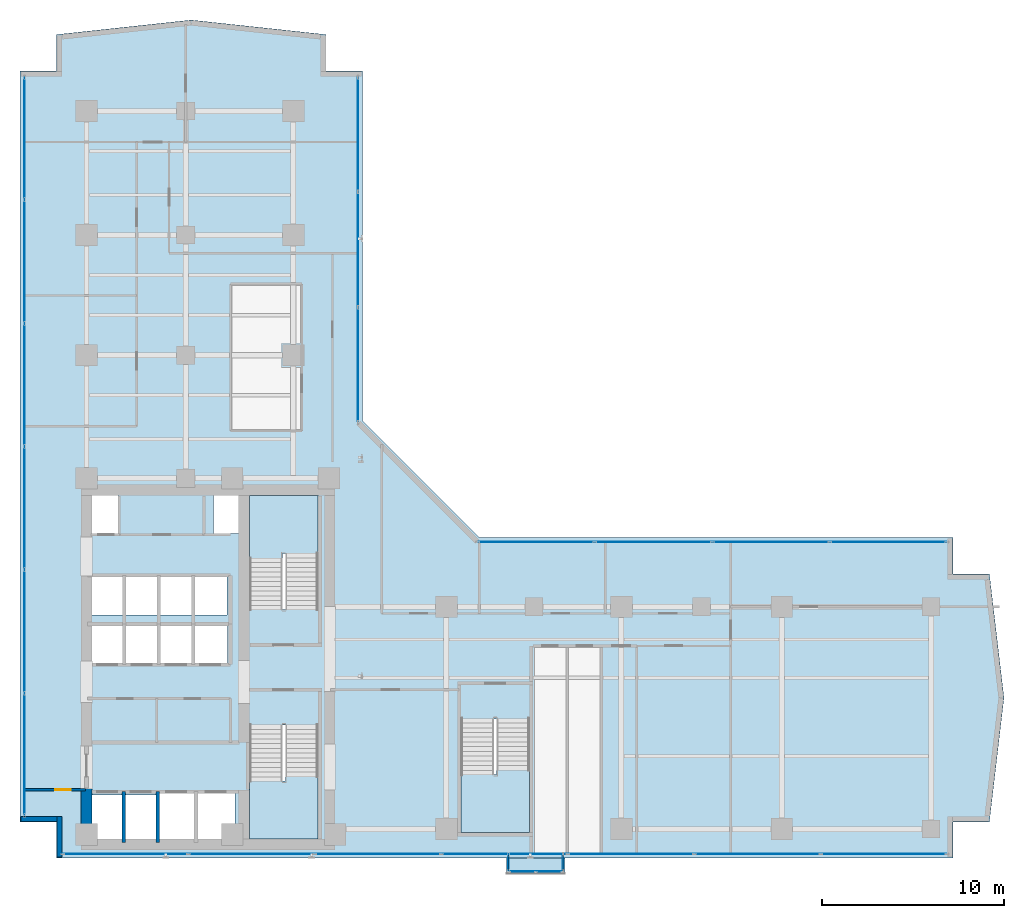
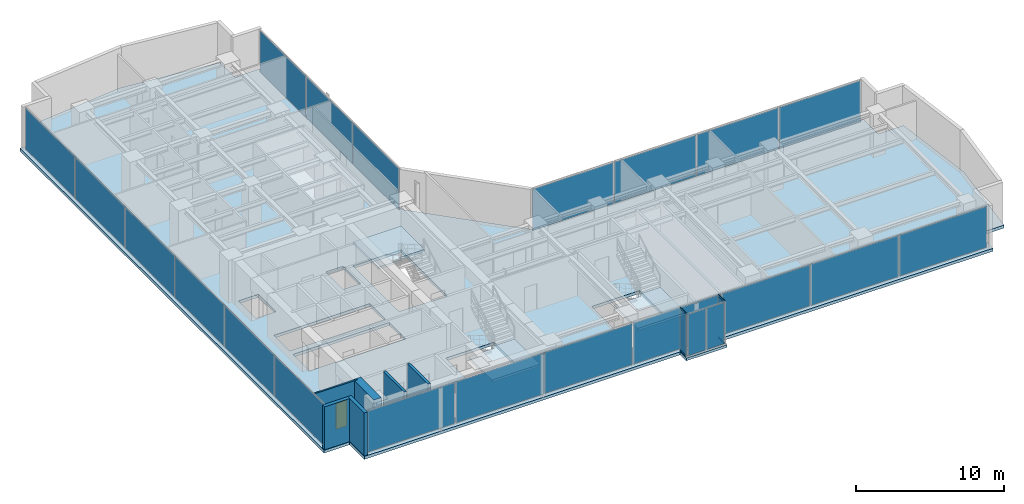
# One storey, part 18 of 23: 24 plates, 6 walls, 5 slabs, 4 members, 1 door, 1 opening, 10 elements without a shape of their own.
"""IFC4 building model written with IfcOpenShell, lengths in metres."""

import ifcopenshell
import ifcopenshell.guid

model = None  # the IFC model being written
_history = None  # IfcOwnerHistory: only IFC2X3 demands one
_inside = {}  # id of a spatial element -> (the spatial element, [elements in it])
_under = {}  # id of a project, library or spatial element -> (it, [spatial elements below it])
_declared = {}  # id of a project -> (the project, [libraries it declares])
_typed = {}  # id of a type object -> (the type object, [elements of that type])
_made_of = {}  # id of a material, layer set ... -> (it, [elements and type objects made of it])


def new_model(schema):
    """Start an empty IFC model of exactly this schema.

    Asked for "IFC4X3", IfcOpenShell would pick the latest addendum, in which some entities
    have other attributes; the version numbers below select the first issue.
    IFC2X3 requires an IfcOwnerHistory on every rooted entity: one is made here for all.
    """
    global model, _history
    if schema == "IFC4X3":
        model = ifcopenshell.file(schema_version=(4, 3, 0, 0))
    else:
        model = ifcopenshell.file(schema=schema)
    _inside.clear()
    _under.clear()
    _declared.clear()
    _typed.clear()
    _made_of.clear()
    _history = None
    if model.schema == "IFC2X3":
        org = make("IfcOrganization", Name="unknown")
        user = make(
            "IfcPersonAndOrganization",
            ThePerson=make("IfcPerson", FamilyName="unknown"),
            TheOrganization=org,
        )
        app = make(
            "IfcApplication",
            ApplicationDeveloper=org,
            Version="unknown",
            ApplicationFullName="unknown",
            ApplicationIdentifier="unknown",
        )
        _history = make(
            "IfcOwnerHistory",
            OwningUser=user,
            OwningApplication=app,
            ChangeAction="ADDED",
            CreationDate=0,
        )
    return model


def make(cls, **values):
    """One entity of the class cls with the attributes given. An attribute that is None is left unset."""
    return model.create_entity(
        cls, **{name: value for name, value in values.items() if value is not None}
    )


def rooted(cls, **values):
    """An entity with a GlobalId (a new one), such as an element, a storey or a relation."""
    return make(cls, GlobalId=ifcopenshell.guid.new(), OwnerHistory=_history, **values)


def si_unit(unit_type, name, prefix=None):
    """IfcSIUnit, for example si_unit("LENGTHUNIT", "METRE", prefix="MILLI")."""
    return make("IfcSIUnit", UnitType=unit_type, Prefix=prefix, Name=name)


def assignment(units):
    """IfcUnitAssignment: the units of a project."""
    return None if units is None else make("IfcUnitAssignment", Units=units)


def point(xyz):
    """IfcCartesianPoint."""
    return None if xyz is None else make("IfcCartesianPoint", Coordinates=xyz)


def direction(xyz):
    """IfcDirection."""
    return None if xyz is None else make("IfcDirection", DirectionRatios=xyz)


def frame(location, z_axis=None, x_axis=None):
    """IfcAxis2Placement3D, a coordinate frame: its origin and axes. An axis left out is left unset."""
    return make(
        "IfcAxis2Placement3D",
        Location=point(location),
        Axis=direction(z_axis),
        RefDirection=direction(x_axis),
    )


def frame_2d(location, x_axis=None):
    """IfcAxis2Placement2D, a coordinate frame in the plane: its origin and x axis."""
    return make(
        "IfcAxis2Placement2D", Location=point(location), RefDirection=direction(x_axis)
    )


def origin():
    """The frame at (0, 0, 0) with its axes left unset."""
    return frame((0.0, 0.0, 0.0))


def origin_with_axes():
    """The frame at (0, 0, 0) with the z axis (0, 0, 1) and the x axis (1, 0, 0) written out."""
    return frame((0.0, 0.0, 0.0), z_axis=(0.0, 0.0, 1.0), x_axis=(1.0, 0.0, 0.0))


def origin_2d():
    """The frame at (0, 0) in the plane with its x axis left unset."""
    return frame_2d((0.0, 0.0))


def place(relative_to, where):
    """IfcLocalPlacement: puts the frame where relative to a parent placement (None: the world)."""
    return make(
        "IfcLocalPlacement", PlacementRelTo=relative_to, RelativePlacement=where
    )


def context(
    kind, dimensions, precision=None, world=None, true_north=None, identifier=None
):
    """IfcGeometricRepresentationContext, for example the 3D "Model" context."""
    return make(
        "IfcGeometricRepresentationContext",
        ContextIdentifier=identifier,
        ContextType=kind,
        CoordinateSpaceDimension=dimensions,
        Precision=precision,
        WorldCoordinateSystem=world,
        TrueNorth=true_north,
    )


def subcontext(parent, identifier, kind, view, scale=None):
    """IfcGeometricRepresentationSubContext, for example "Body" below "Model"."""
    return make(
        "IfcGeometricRepresentationSubContext",
        ContextIdentifier=identifier,
        ContextType=kind,
        ParentContext=parent,
        TargetScale=scale,
        TargetView=view,
    )


def project(units=None, contexts=None):
    """IfcProject with its units and contexts."""
    return rooted(
        "IfcProject",
        Name="project",
        RepresentationContexts=contexts,
        UnitsInContext=assignment(units),
    )


def spatial(cls, under=None, at=None, **own):
    """A site, building, storey or space (cls), placed at a placement, below another one or the project."""
    s = rooted(cls, ObjectPlacement=at, **own)
    if under is not None:
        _under.setdefault(under.id(), (under, []))[1].append(s)
    return s


def polyline(points):
    """IfcPolyline through the points."""
    return make("IfcPolyline", Points=[point(p) for p in points])


def profile(cls, at=None, kind="AREA", **sizes):
    """A parametric profile (cls). Its sizes go by their IFC names, for example OverallWidth=200.0."""
    return make(cls, ProfileType=kind, Position=at, **sizes)


def rectangle(**sizes):
    """IfcRectangleProfileDef."""
    return profile("IfcRectangleProfileDef", **sizes)


def hollow_rectangle(**sizes):
    """IfcRectangleHollowProfileDef."""
    return profile("IfcRectangleHollowProfileDef", **sizes)


def outline(outer, holes=None, kind="AREA"):
    """IfcArbitraryClosedProfileDef: a profile drawn as a closed curve; with holes, ...WithVoids."""
    if holes is None:
        return make("IfcArbitraryClosedProfileDef", ProfileType=kind, OuterCurve=outer)
    return make(
        "IfcArbitraryProfileDefWithVoids",
        ProfileType=kind,
        OuterCurve=outer,
        InnerCurves=holes,
    )


def extrude(swept, where, along, depth):
    """IfcExtrudedAreaSolid: the profile swept, set in the frame where, extruded along a direction by depth."""
    return make(
        "IfcExtrudedAreaSolid",
        SweptArea=swept,
        Position=where,
        ExtrudedDirection=direction(along),
        Depth=depth,
    )


def shape(context_of_items, identifier, shape_type, items):
    """IfcShapeRepresentation: the items that make up one representation, for example the "Body"."""
    return make(
        "IfcShapeRepresentation",
        ContextOfItems=context_of_items,
        RepresentationIdentifier=identifier,
        RepresentationType=shape_type,
        Items=items,
    )


def source(mapping_origin, context_of_items, identifier, shape_type, items):
    """IfcRepresentationMap: a shape defined once, which mapped items show again and again."""
    return make(
        "IfcRepresentationMap",
        MappingOrigin=mapping_origin,
        MappedRepresentation=shape(context_of_items, identifier, shape_type, items),
    )


def transform(
    local_origin,
    x_axis=None,
    y_axis=None,
    z_axis=None,
    scale=None,
    scale2=None,
    scale3=None,
    uniform=True,
):
    """IfcCartesianTransformationOperator3D, or its non-uniform kind. x_axis, y_axis, z_axis: its Axis1, 2, 3."""
    if uniform:
        return make(
            "IfcCartesianTransformationOperator3D",
            Axis1=direction(x_axis),
            Axis2=direction(y_axis),
            LocalOrigin=point(local_origin),
            Scale=scale,
            Axis3=direction(z_axis),
        )
    return make(
        "IfcCartesianTransformationOperator3DnonUniform",
        Axis1=direction(x_axis),
        Axis2=direction(y_axis),
        LocalOrigin=point(local_origin),
        Scale=scale,
        Axis3=direction(z_axis),
        Scale2=scale2,
        Scale3=scale3,
    )


def mapped(mapping_source, mapping_target):
    """IfcMappedItem: shows the shape of a source again, moved by a transform."""
    return make(
        "IfcMappedItem", MappingSource=mapping_source, MappingTarget=mapping_target
    )


def material(Name=None, Category=None):
    """IfcMaterial."""
    return make("IfcMaterial", Name=Name, Category=Category)


def layer(
    of_material, thickness, ventilated=None, Name=None, Category=None, Priority=None
):
    """IfcMaterialLayer: one layer of a wall or slab, of a material (None: an air gap)."""
    return make(
        "IfcMaterialLayer",
        Material=of_material,
        LayerThickness=thickness,
        IsVentilated=ventilated,
        Name=Name,
        Category=Category,
        Priority=Priority,
    )


def layer_set(layers, Name=None):
    """IfcMaterialLayerSet."""
    return make("IfcMaterialLayerSet", MaterialLayers=layers, LayerSetName=Name)


def material_profile(
    of_material, cross_section, Name=None, Category=None, Priority=None
):
    """IfcMaterialProfile: a cross section and its material."""
    return make(
        "IfcMaterialProfile",
        Name=Name,
        Material=of_material,
        Profile=cross_section,
        Priority=Priority,
        Category=Category,
    )


def profile_set(profiles, Name=None, composite=None):
    """IfcMaterialProfileSet."""
    return make(
        "IfcMaterialProfileSet",
        Name=Name,
        MaterialProfiles=profiles,
        CompositeProfile=composite,
    )


def made_of(thing, what):
    """Note that an element or type object is made of a material, layer set ...; save() writes the relation."""
    if what is not None:
        _made_of.setdefault(what.id(), (what, []))[1].append(thing)
    return thing


def type_object(cls, material=None, **own):
    """A type object (cls), such as IfcWallType, which elements share."""
    return made_of(rooted(cls, **own), material)


def element(
    cls,
    number,
    at=None,
    inside=None,
    cuts=None,
    type_object=None,
    material=None,
    context=None,
    identifier="Body",
    shape_type=None,
    held_by="IfcProductDefinitionShape",
    body=None,
    shapes=None,
    **own,
):
    """One element of the class cls, such as IfcWall. Its Tag is "e" and its number.

    at: its placement. inside: the storey or other place that contains it. cuts: it is an
    opening in that element (IfcRelVoidsElement). A single representation is given by context,
    identifier, shape_type and body (its items); several are given by shapes. held_by: the class
    of the entity that holds the representations. save() writes the other relations.
    """
    e = rooted(cls, Tag="e%d" % number, ObjectPlacement=at, **own)
    if body is not None:
        shapes = [shape(context, identifier, shape_type, body)]
    if shapes is not None:
        e.Representation = make(held_by, Representations=shapes)
    if inside is not None:
        _inside.setdefault(inside.id(), (inside, []))[1].append(e)
    if cuts is not None:
        rooted(
            "IfcRelVoidsElement", RelatingBuildingElement=cuts, RelatedOpeningElement=e
        )
    if type_object is not None:
        _typed.setdefault(type_object.id(), (type_object, []))[1].append(e)
    return made_of(e, material)


def fill(opening, filler):
    """IfcRelFillsElement: the door or window that sits in an opening."""
    return rooted(
        "IfcRelFillsElement",
        RelatingOpeningElement=opening,
        RelatedBuildingElement=filler,
    )


def aggregate(whole, parts):
    """IfcRelAggregates: a whole, such as a stair, and the parts it consists of."""
    return rooted("IfcRelAggregates", RelatingObject=whole, RelatedObjects=parts)


def save(model, path):
    """Write the relations noted so far, then the file.

    IfcRelAggregates (storeys below a building ...), IfcRelContainedInSpatialStructure (elements
    in a storey), IfcRelDefinesByType, IfcRelAssociatesMaterial and IfcRelDeclares: one each for
    every whole, place, type object, material and project.
    """
    for whole, parts in _under.values():
        aggregate(whole, parts)
    for where, things in _inside.values():
        rooted(
            "IfcRelContainedInSpatialStructure",
            RelatedElements=things,
            RelatingStructure=where,
        )
    for kind, things in _typed.values():
        rooted("IfcRelDefinesByType", RelatedObjects=things, RelatingType=kind)
    for what, things in _made_of.values():
        rooted("IfcRelAssociatesMaterial", RelatedObjects=things, RelatingMaterial=what)
    for by, libraries in _declared.values():
        rooted("IfcRelDeclares", RelatingContext=by, RelatedDefinitions=libraries)
    model.write(path)


model = new_model("IFC4")

# Units and contexts
model_context = context("Model", 3, precision=1e-05, world=origin(), true_north=direction((0.0, 1.0)))
body_context = subcontext(model_context, "Body", "Model", "MODEL_VIEW")
ifc_project = project(units=[si_unit("LENGTHUNIT", "METRE"), si_unit("AREAUNIT", "SQUARE_METRE"), si_unit("VOLUMEUNIT", "CUBIC_METRE"), si_unit("PLANEANGLEUNIT", "RADIAN"), si_unit("MASSUNIT", "GRAM", prefix="KILO")], contexts=[model_context])

# Site, building, storey
site_placement = place(None, origin())
site = spatial("IfcSite", under=ifc_project, at=site_placement, CompositionType="ELEMENT")
building_placement = place(site_placement, origin())
building = spatial("IfcBuilding", under=site, at=building_placement, Name="Kolvaren Waterfront Exchange", CompositionType="ELEMENT")
storey_placement = place(building_placement, frame((0.0, 0.0, 188.0)))
storey = spatial("IfcBuildingStorey", under=building, at=storey_placement, Name="L48", CompositionType="ELEMENT", Elevation=188.0)

# Curtain wall, members
ifc_material_1 = material(Name="Anodised bronze aluminium 6063-T6", Category="aluminium")
ifc_layer_1 = layer(ifc_material_1, 0.219970703125, Name="Anodised bronze aluminium 6063-T6")
ifc_layer_set_1 = layer_set([ifc_layer_1], Name="Anodised bronze aluminium 6063-T6")
curtain_wall_type_1 = type_object("IfcCurtainWallType", Name="ARC-CW-SYS3", PredefinedType="USERDEFINED", material=ifc_layer_set_1)
curtain_wall_1_placement = place(storey_placement, origin())
curtain_wall_1 = element("IfcCurtainWall", 1, at=curtain_wall_1_placement, inside=storey, type_object=curtain_wall_type_1, Name="L48 stick curtain wall CW3 (CW-L48-BOX-W)", ObjectType="STICK CURTAIN WALL", PredefinedType="USERDEFINED")
ifc_material_profile = material_profile(ifc_material_1, hollow_rectangle(XDim=0.06494140625, YDim=0.1298828125, WallThickness=0.00390625, at=origin_2d()), Name="ALU-TRN-130x65x4")
ifc_profile_set = profile_set([ifc_material_profile], Name="Anodised bronze aluminium 6063-T6")
member_type = type_object("IfcMemberType", Name="ARC-CWT-130", PredefinedType="USERDEFINED", material=ifc_profile_set)
shared_shape_1 = source(origin_with_axes(), body_context, "Body", "SweptSolid", [
    extrude(hollow_rectangle(XDim=0.06494140625, YDim=0.1298828125, WallThickness=0.00390625, at=origin_2d()), origin(), (0.0, 0.0, 1.0), 0.829833984375),
])
member_1_placement = place(storey_placement, frame((30.610107421875, 3.764892578125, 0.032470703125), z_axis=(0.0, -1.0, 0.0), x_axis=(1.0, 0.0, 0.0)))
member_1 = element("IfcMember", 2, at=member_1_placement, type_object=member_type, Name="CW3 transom 1.1", ObjectType="TRANSOM", PredefinedType="USERDEFINED", context=body_context, shape_type="MappedRepresentation", body=[
    mapped(shared_shape_1, transform((0.0, 0.0, 0.0), x_axis=(1.0, 0.0, 0.0), y_axis=(0.0, 1.0, 0.0), z_axis=(0.0, 0.0, 1.0), scale=1.0)),
])
member_2_placement = place(storey_placement, frame((30.610107421875, 3.764892578125, 3.527587890625), z_axis=(0.0, -1.0, 0.0), x_axis=(1.0, 0.0, 0.0)))
member_2 = element("IfcMember", 3, at=member_2_placement, type_object=member_type, Name="CW3 transom 1.2", ObjectType="TRANSOM", PredefinedType="USERDEFINED", context=body_context, shape_type="MappedRepresentation", body=[
    mapped(shared_shape_1, transform((0.0, 0.0, 0.0), x_axis=(1.0, 0.0, 0.0), y_axis=(0.0, 1.0, 0.0), z_axis=(0.0, 0.0, 1.0), scale=1.0)),
])

curtain_wall_2_placement = place(storey_placement, origin())
curtain_wall_2 = element("IfcCurtainWall", 4, at=curtain_wall_2_placement, inside=storey, type_object=curtain_wall_type_1, Name="L48 stick curtain wall CW3 (CW-L48-BOX-E)", ObjectType="STICK CURTAIN WALL", PredefinedType="USERDEFINED")
member_3_placement = place(storey_placement, frame((33.590087890625, 2.93505859375, 0.032470703125), z_axis=(0.0, 1.0, 0.0), x_axis=(-1.0, 0.0, 0.0)))
member_3 = element("IfcMember", 5, at=member_3_placement, type_object=member_type, Name="CW3 transom 1.1", ObjectType="TRANSOM", PredefinedType="USERDEFINED", context=body_context, shape_type="MappedRepresentation", body=[
    mapped(shared_shape_1, transform((0.0, 0.0, 0.0), x_axis=(1.0, 0.0, 0.0), y_axis=(0.0, 1.0, 0.0), z_axis=(0.0, 0.0, 1.0), scale=1.0)),
])
member_4_placement = place(storey_placement, frame((33.590087890625, 2.93505859375, 3.527587890625), z_axis=(0.0, 1.0, 0.0), x_axis=(-1.0, 0.0, 0.0)))
member_4 = element("IfcMember", 6, at=member_4_placement, type_object=member_type, Name="CW3 transom 1.2", ObjectType="TRANSOM", PredefinedType="USERDEFINED", context=body_context, shape_type="MappedRepresentation", body=[
    mapped(shared_shape_1, transform((0.0, 0.0, 0.0), x_axis=(1.0, 0.0, 0.0), y_axis=(0.0, 1.0, 0.0), z_axis=(0.0, 0.0, 1.0), scale=1.0)),
])

# Stair, slab
ifc_material_2 = material(Name="Concrete C40/50", Category="concrete")
stair_type = type_object("IfcStairType", Name="ARC-STAIR-3800", PredefinedType="HALF_TURN_STAIR", material=ifc_material_2)
stair_1_placement = place(storey_placement, origin())
stair_1 = element("IfcStair", 7, at=stair_1_placement, inside=storey, type_object=stair_type, Name="L48 Smoke-proof exit stair ST1", PredefinedType="HALF_TURN_STAIR")
ifc_layer_2 = layer(ifc_material_2, 0.199951171875, Name="Concrete C40/50")
ifc_layer_set_2 = layer_set([ifc_layer_2], Name="Concrete C40/50")
slab_type_1 = type_object("IfcSlabType", Name="STR-LANDING-200", PredefinedType="LANDING", material=ifc_layer_set_2)
slab_1_placement = place(storey_placement, frame((0.0, 0.0, 1.77587890625)))
slab_1 = element("IfcSlab", 8, at=slab_1_placement, type_object=slab_type_1, Name="ST1 landing 1", PredefinedType="LANDING", context=body_context, shape_type="SweptSolid", body=[
    extrude(outline(polyline([(16.39990234375, 7.840087890625), (16.39990234375, 4.64990234375), (20.159912109375, 4.64990234375), (20.159912109375, 8.10009765625), (18.360107421875, 8.10009765625), (18.360107421875, 7.840087890625), (16.39990234375, 7.840087890625)])), origin(), (0.0, 0.0, 1.0), 0.2001953125),
])
aggregate(stair_1, [slab_1])

stair_2_placement = place(storey_placement, origin())
stair_2 = element("IfcStair", 9, at=stair_2_placement, inside=storey, type_object=stair_type, Name="L48 Smoke-proof exit stair ST2", PredefinedType="HALF_TURN_STAIR")
slab_2_placement = place(storey_placement, frame((0.0, 0.0, 1.77587890625)))
slab_2 = element("IfcSlab", 10, at=slab_2_placement, type_object=slab_type_1, Name="ST2 landing 1", PredefinedType="LANDING", context=body_context, shape_type="SweptSolid", body=[
    extrude(outline(polyline([(20.159912109375, 20.31005859375), (20.159912109375, 23.5), (16.39990234375, 23.5), (16.39990234375, 20.050048828125), (18.199951171875, 20.050048828125), (18.199951171875, 20.31005859375), (20.159912109375, 20.31005859375)])), origin(), (0.0, 0.0, 1.0), 0.2001953125),
])
aggregate(stair_2, [slab_2])

stair_3_placement = place(storey_placement, origin())
stair_3 = element("IfcStair", 11, at=stair_3_placement, inside=storey, type_object=stair_type, Name="L48 Exit stair ST3", PredefinedType="HALF_TURN_STAIR")
slab_3_placement = place(storey_placement, frame((0.0, 0.0, 1.77587890625)))
slab_3 = element("IfcSlab", 12, at=slab_3_placement, type_object=slab_type_1, Name="ST3 landing 1", PredefinedType="LANDING", context=body_context, shape_type="SweptSolid", body=[
    extrude(outline(polyline([(28.0, 8.18994140625), (28.0, 5.0), (31.760009765625, 5.0), (31.760009765625, 8.449951171875), (29.9599609375, 8.449951171875), (29.9599609375, 8.18994140625), (28.0, 8.18994140625)])), origin(), (0.0, 0.0, 1.0), 0.2001953125),
])
aggregate(stair_3, [slab_3])

# Slabs
ifc_layer_3 = layer(ifc_material_2, 0.239990234375, Name="Concrete C40/50")
ifc_layer_set_3 = layer_set([ifc_layer_3], Name="Concrete C40/50")
slab_type_2 = type_object("IfcSlabType", Name="STR-SLAB-240", PredefinedType="FLOOR", material=ifc_layer_set_3)
slab_4_placement = place(storey_placement, frame((0.0, 0.0, -0.239990234375)))
element("IfcSlab", 13, at=slab_4_placement, inside=storey, type_object=slab_type_2, Name="L48 structural floor slab", PredefinedType="FLOOR", context=body_context, shape_type="SweptSolid", body=[
    extrude(outline(polyline([(5.800048828125, 3.60009765625), (55.0, 3.60009765625), (55.0, 5.60009765625), (57.0, 5.60009765625), (57.800048828125, 12.39990234375), (57.0, 19.199951171875), (55.0, 19.199951171875), (55.0, 21.199951171875), (29.0, 21.199951171875), (22.60009765625, 27.60009765625), (22.60009765625, 46.800048828125), (20.60009765625, 46.800048828125), (20.60009765625, 48.800048828125), (13.199951171875, 49.60009765625), (5.800048828125, 48.800048828125), (5.800048828125, 46.800048828125), (3.800048828125, 46.800048828125), (3.800048828125, 5.60009765625), (5.800048828125, 5.60009765625), (5.800048828125, 3.60009765625)]), holes=[polyline([(11.320068359375, 7.260009765625), (15.610107421875, 7.260009765625), (15.610107421875, 4.5400390625), (7.719970703125, 4.5400390625), (7.719970703125, 7.06005859375), (11.320068359375, 7.06005859375), (11.320068359375, 7.260009765625)]), polyline([(20.159912109375, 10.89990234375), (20.159912109375, 4.64990234375), (16.39990234375, 4.64990234375), (16.39990234375, 10.89990234375), (20.159912109375, 10.89990234375)]), polyline([(31.760009765625, 11.25), (31.760009765625, 5.0), (28.0, 5.0), (28.0, 11.25), (31.760009765625, 11.25)]), polyline([(15.18505859375, 14.239990234375), (7.64501953125, 14.239990234375), (7.64501953125, 16.4599609375), (15.18505859375, 16.4599609375), (15.18505859375, 14.239990234375)]), polyline([(15.159912109375, 16.93994140625), (7.669921875, 16.93994140625), (7.669921875, 19.06005859375), (15.159912109375, 19.06005859375), (15.159912109375, 16.93994140625)]), polyline([(16.39990234375, 23.5), (20.159912109375, 23.5), (20.159912109375, 17.25), (16.39990234375, 17.25), (16.39990234375, 23.5)]), polyline([(7.60009765625, 23.780029296875), (9.179931640625, 23.780029296875), (9.179931640625, 21.419921875), (7.60009765625, 21.419921875), (7.60009765625, 23.780029296875)]), polyline([(15.800048828125, 23.780029296875), (15.800048828125, 21.419921875), (14.419921875, 21.419921875), (14.419921875, 23.780029296875), (15.800048828125, 23.780029296875)])]), origin(), (0.0, 0.0, 1.0), 0.239990234375),
])
ifc_layer_4 = layer(ifc_material_2, 0.219970703125, Name="Concrete C40/50")
ifc_layer_set_4 = layer_set([ifc_layer_4], Name="Concrete C40/50")
slab_type_3 = type_object("IfcSlabType", Name="STR-TERR-220", PredefinedType="FLOOR", material=ifc_layer_set_4)
slab_5_placement = place(storey_placement, frame((0.0, 0.0, -0.219970703125)))
element("IfcSlab", 14, at=slab_5_placement, inside=storey, type_object=slab_type_3, Name="L48 projecting bay-box floor strip", PredefinedType="FLOOR", context=body_context, shape_type="SweptSolid", body=[
    extrude(outline(polyline([(30.5, 2.75), (33.699951171875, 2.75), (33.699951171875, 3.60009765625), (30.5, 3.60009765625), (30.5, 2.75)])), origin(), (0.0, 0.0, 1.0), 0.219970703125),
])

# Plate
ifc_material_3 = material(Name="Bronze tinted bay-box vision glass", Category="aluminium")
ifc_layer_5 = layer(ifc_material_3, 0.02392578125, Name="Bronze tinted bay-box vision glass")
ifc_layer_set_5 = layer_set([ifc_layer_5], Name="Bronze tinted bay-box vision glass")
plate_type_1 = type_object("IfcPlateType", Name="ARC-CWP-24", PredefinedType="CURTAIN_PANEL", material=ifc_layer_set_5)
shared_shape_2 = source(origin_with_axes(), body_context, "Body", "SweptSolid", [
    extrude(rectangle(XDim=0.830078125, YDim=0.02392578125, at=origin_2d()), origin(), (0.0, 0.0, 1.0), 3.429931640625),
])
plate_1_placement = place(storey_placement, frame((30.610107421875, 3.35009765625, 0.06494140625), z_axis=(0.0, 0.0, 1.0), x_axis=(0.0, -1.0, 0.0)))
plate_1 = element("IfcPlate", 15, at=plate_1_placement, type_object=plate_type_1, Name="CW3 panel 1.1", PredefinedType="CURTAIN_PANEL", context=body_context, shape_type="MappedRepresentation", body=[
    mapped(shared_shape_2, transform((0.0, 0.0, 0.0), x_axis=(1.0, 0.0, 0.0), y_axis=(0.0, 1.0, 0.0), z_axis=(0.0, 0.0, 1.0), scale=1.0)),
])

aggregate(curtain_wall_1, [member_1, member_2, plate_1])

plate_2_placement = place(storey_placement, frame((33.590087890625, 3.35009765625, 0.06494140625), z_axis=(0.0, 0.0, 1.0), x_axis=(0.0, 1.0, 0.0)))
plate_2 = element("IfcPlate", 16, at=plate_2_placement, type_object=plate_type_1, Name="CW3 panel 1.1", PredefinedType="CURTAIN_PANEL", context=body_context, shape_type="MappedRepresentation", body=[
    mapped(shared_shape_2, transform((0.0, 0.0, 0.0), x_axis=(1.0, 0.0, 0.0), y_axis=(0.0, 1.0, 0.0), z_axis=(0.0, 0.0, 1.0), scale=1.0)),
])

aggregate(curtain_wall_2, [member_3, member_4, plate_2])

# Curtain wall, plates
curtain_wall_3_placement = place(storey_placement, origin())
curtain_wall_3 = element("IfcCurtainWall", 17, at=curtain_wall_3_placement, inside=storey, type_object=curtain_wall_type_1, Name="L48 stick curtain wall CW3 (CW-L48-BOX)", ObjectType="STICK CURTAIN WALL", PredefinedType="USERDEFINED")
shared_shape_3 = source(origin_with_axes(), body_context, "Body", "SweptSolid", [
    extrude(rectangle(XDim=1.37744140625, YDim=0.02392578125, at=origin_2d()), origin(), (0.0, 0.0, 1.0), 3.429931640625),
])
plate_3_placement = place(storey_placement, frame((31.373779296875, 2.860107421875, 0.06494140625), z_axis=(0.0, 0.0, 1.0), x_axis=(1.0, 0.0, 0.0)))
plate_3 = element("IfcPlate", 18, at=plate_3_placement, type_object=plate_type_1, Name="CW3 panel 1.1", PredefinedType="CURTAIN_PANEL", context=body_context, shape_type="MappedRepresentation", body=[
    mapped(shared_shape_3, transform((0.0, 0.0, 0.0), x_axis=(1.0, 0.0, 0.0), y_axis=(0.0, 1.0, 0.0), z_axis=(0.0, 0.0, 1.0), scale=1.0)),
])
plate_4_placement = place(storey_placement, frame((32.826171875, 2.860107421875, 0.06494140625), z_axis=(0.0, 0.0, 1.0), x_axis=(1.0, 0.0, 0.0)))
plate_4 = element("IfcPlate", 19, at=plate_4_placement, type_object=plate_type_1, Name="CW3 panel 2.1", PredefinedType="CURTAIN_PANEL", context=body_context, shape_type="MappedRepresentation", body=[
    mapped(shared_shape_3, transform((0.0, 0.0, 0.0), x_axis=(1.0, 0.0, 0.0), y_axis=(0.0, 1.0, 0.0), z_axis=(0.0, 0.0, 1.0), scale=1.0)),
])
aggregate(curtain_wall_3, [plate_3, plate_4])

ifc_layer_6 = layer(ifc_material_1, 0.219970703125, Name="Anodised bronze aluminium 6063-T6")
ifc_layer_set_6 = layer_set([ifc_layer_6], Name="Anodised bronze aluminium 6063-T6")
curtain_wall_type_2 = type_object("IfcCurtainWallType", Name="ARC-CW-SYS1", PredefinedType="USERDEFINED", material=ifc_layer_set_6)
curtain_wall_4_placement = place(storey_placement, origin())
curtain_wall_4 = element("IfcCurtainWall", 20, at=curtain_wall_4_placement, inside=storey, type_object=curtain_wall_type_2, Name="L48 stick curtain wall CW1 (CW-L48-S)", ObjectType="STICK CURTAIN WALL", PredefinedType="USERDEFINED")
ifc_material_4 = material(Name="Bronze solar control vision glass", Category="aluminium")
ifc_layer_7 = layer(ifc_material_4, 0.028076171875, Name="Bronze solar control vision glass")
ifc_layer_set_7 = layer_set([ifc_layer_7], Name="Bronze solar control vision glass")
plate_type_2 = type_object("IfcPlateType", Name="ARC-CWP-28", PredefinedType="CURTAIN_PANEL", material=ifc_layer_set_7)
shared_shape_4 = source(origin_with_axes(), body_context, "Body", "SweptSolid", [
    extrude(rectangle(XDim=6.82275390625, YDim=0.028076171875, at=origin_2d()), origin(), (0.0, 0.0, 1.0), 3.409912109375),
])
plate_5_placement = place(storey_placement, frame((9.59130859375, 3.840087890625, 0.0751953125), z_axis=(0.0, 0.0, 1.0), x_axis=(1.0, 0.0, 0.0)))
plate_5 = element("IfcPlate", 21, at=plate_5_placement, type_object=plate_type_2, Name="CW1 panel 1.1", PredefinedType="CURTAIN_PANEL", context=body_context, shape_type="MappedRepresentation", body=[
    mapped(shared_shape_4, transform((0.0, 0.0, 0.0), x_axis=(1.0, 0.0, 0.0), y_axis=(0.0, 1.0, 0.0), z_axis=(0.0, 0.0, 1.0), scale=1.0)),
])
plate_6_placement = place(storey_placement, frame((51.20849609375, 3.840087890625, 0.0751953125), z_axis=(0.0, 0.0, 1.0), x_axis=(1.0, 0.0, 0.0)))
plate_6 = element("IfcPlate", 22, at=plate_6_placement, type_object=plate_type_2, Name="CW1 panel 7.1", PredefinedType="CURTAIN_PANEL", context=body_context, shape_type="MappedRepresentation", body=[
    mapped(shared_shape_4, transform((0.0, 0.0, 0.0), x_axis=(1.0, 0.0, 0.0), y_axis=(0.0, 1.0, 0.0), z_axis=(0.0, 0.0, 1.0), scale=1.0)),
])
shared_shape_5 = source(origin_with_axes(), body_context, "Body", "SweptSolid", [
    extrude(rectangle(XDim=6.86279296875, YDim=0.028076171875, at=origin_2d()), origin(), (0.0, 0.0, 1.0), 3.409912109375),
])
plate_7_placement = place(storey_placement, frame((16.514404296875, 3.840087890625, 0.0751953125), z_axis=(0.0, 0.0, 1.0), x_axis=(1.0, 0.0, 0.0)))
plate_7 = element("IfcPlate", 23, at=plate_7_placement, type_object=plate_type_2, Name="CW1 panel 2.1", PredefinedType="CURTAIN_PANEL", context=body_context, shape_type="MappedRepresentation", body=[
    mapped(shared_shape_5, transform((0.0, 0.0, 0.0), x_axis=(1.0, 0.0, 0.0), y_axis=(0.0, 1.0, 0.0), z_axis=(0.0, 0.0, 1.0), scale=1.0)),
])
plate_8_placement = place(storey_placement, frame((23.45703125, 3.840087890625, 0.0751953125), z_axis=(0.0, 0.0, 1.0), x_axis=(1.0, 0.0, 0.0)))
plate_8 = element("IfcPlate", 24, at=plate_8_placement, type_object=plate_type_2, Name="CW1 panel 3.1", PredefinedType="CURTAIN_PANEL", context=body_context, shape_type="MappedRepresentation", body=[
    mapped(shared_shape_5, transform((0.0, 0.0, 0.0), x_axis=(1.0, 0.0, 0.0), y_axis=(0.0, 1.0, 0.0), z_axis=(0.0, 0.0, 1.0), scale=1.0)),
])
plate_9_placement = place(storey_placement, frame((30.39990234375, 3.840087890625, 0.0751953125), z_axis=(0.0, 0.0, 1.0), x_axis=(1.0, 0.0, 0.0)))
plate_9 = element("IfcPlate", 25, at=plate_9_placement, type_object=plate_type_2, Name="CW1 panel 4.1", PredefinedType="CURTAIN_PANEL", context=body_context, shape_type="MappedRepresentation", body=[
    mapped(shared_shape_5, transform((0.0, 0.0, 0.0), x_axis=(1.0, 0.0, 0.0), y_axis=(0.0, 1.0, 0.0), z_axis=(0.0, 0.0, 1.0), scale=1.0)),
])
plate_10_placement = place(storey_placement, frame((37.3427734375, 3.840087890625, 0.0751953125), z_axis=(0.0, 0.0, 1.0), x_axis=(1.0, 0.0, 0.0)))
plate_10 = element("IfcPlate", 26, at=plate_10_placement, type_object=plate_type_2, Name="CW1 panel 5.1", PredefinedType="CURTAIN_PANEL", context=body_context, shape_type="MappedRepresentation", body=[
    mapped(shared_shape_5, transform((0.0, 0.0, 0.0), x_axis=(1.0, 0.0, 0.0), y_axis=(0.0, 1.0, 0.0), z_axis=(0.0, 0.0, 1.0), scale=1.0)),
])
plate_11_placement = place(storey_placement, frame((44.28564453125, 3.840087890625, 0.0751953125), z_axis=(0.0, 0.0, 1.0), x_axis=(1.0, 0.0, 0.0)))
plate_11 = element("IfcPlate", 27, at=plate_11_placement, type_object=plate_type_2, Name="CW1 panel 6.1", PredefinedType="CURTAIN_PANEL", context=body_context, shape_type="MappedRepresentation", body=[
    mapped(shared_shape_5, transform((0.0, 0.0, 0.0), x_axis=(1.0, 0.0, 0.0), y_axis=(0.0, 1.0, 0.0), z_axis=(0.0, 0.0, 1.0), scale=1.0)),
])
aggregate(curtain_wall_4, [plate_5, plate_7, plate_8, plate_9, plate_10, plate_11, plate_6])

curtain_wall_5_placement = place(storey_placement, origin())
curtain_wall_5 = element("IfcCurtainWall", 28, at=curtain_wall_5_placement, inside=storey, type_object=curtain_wall_type_2, Name="L48 stick curtain wall CW1 (CW-L48-NE)", ObjectType="STICK CURTAIN WALL", PredefinedType="USERDEFINED")
shared_shape_6 = source(origin_with_axes(), body_context, "Body", "SweptSolid", [
    extrude(rectangle(XDim=6.216552734375, YDim=0.028076171875, at=origin_2d()), origin(), (0.0, 0.0, 1.0), 3.409912109375),
])
plate_12_placement = place(storey_placement, frame((22.360107421875, 30.67822265625, 0.0751953125), z_axis=(0.0, 0.0, 1.0), x_axis=(0.0, 1.0, 0.0)))
plate_12 = element("IfcPlate", 29, at=plate_12_placement, type_object=plate_type_2, Name="CW1 panel 1.1", PredefinedType="CURTAIN_PANEL", context=body_context, shape_type="MappedRepresentation", body=[
    mapped(shared_shape_6, transform((0.0, 0.0, 0.0), x_axis=(1.0, 0.0, 0.0), y_axis=(0.0, 1.0, 0.0), z_axis=(0.0, 0.0, 1.0), scale=1.0)),
])
plate_13_placement = place(storey_placement, frame((22.360107421875, 43.311767578125, 0.0751953125), z_axis=(0.0, 0.0, 1.0), x_axis=(0.0, 1.0, 0.0)))
plate_13 = element("IfcPlate", 30, at=plate_13_placement, type_object=plate_type_2, Name="CW1 panel 3.1", PredefinedType="CURTAIN_PANEL", context=body_context, shape_type="MappedRepresentation", body=[
    mapped(shared_shape_6, transform((0.0, 0.0, 0.0), x_axis=(1.0, 0.0, 0.0), y_axis=(0.0, 1.0, 0.0), z_axis=(0.0, 0.0, 1.0), scale=1.0)),
])
shared_shape_7 = source(origin_with_axes(), body_context, "Body", "SweptSolid", [
    extrude(rectangle(XDim=6.256591796875, YDim=0.028076171875, at=origin_2d()), origin(), (0.0, 0.0, 1.0), 3.409912109375),
])
plate_14_placement = place(storey_placement, frame((22.360107421875, 36.9951171875, 0.0751953125), z_axis=(0.0, 0.0, 1.0), x_axis=(0.0, 1.0, 0.0)))
plate_14 = element("IfcPlate", 31, at=plate_14_placement, type_object=plate_type_2, Name="CW1 panel 2.1", PredefinedType="CURTAIN_PANEL", context=body_context, shape_type="MappedRepresentation", body=[
    mapped(shared_shape_7, transform((0.0, 0.0, 0.0), x_axis=(1.0, 0.0, 0.0), y_axis=(0.0, 1.0, 0.0), z_axis=(0.0, 0.0, 1.0), scale=1.0)),
])
aggregate(curtain_wall_5, [plate_12, plate_14, plate_13])

curtain_wall_6_placement = place(storey_placement, origin())
curtain_wall_6 = element("IfcCurtainWall", 32, at=curtain_wall_6_placement, inside=storey, type_object=curtain_wall_type_2, Name="L48 stick curtain wall CW1 (CW-L48-EN)", ObjectType="STICK CURTAIN WALL", PredefinedType="USERDEFINED")
shared_shape_8 = source(origin_with_axes(), body_context, "Body", "SweptSolid", [
    extrude(rectangle(XDim=6.33251953125, YDim=0.028076171875, at=origin_2d()), origin(), (0.0, 0.0, 1.0), 3.409912109375),
])
plate_15_placement = place(storey_placement, frame((32.13623046875, 20.9599609375, 0.0751953125), z_axis=(0.0, 0.0, 1.0), x_axis=(1.0, 0.0, 0.0)))
plate_15 = element("IfcPlate", 33, at=plate_15_placement, type_object=plate_type_2, Name="CW1 panel 1.1", PredefinedType="CURTAIN_PANEL", context=body_context, shape_type="MappedRepresentation", body=[
    mapped(shared_shape_8, transform((0.0, 0.0, 0.0), x_axis=(1.0, 0.0, 0.0), y_axis=(0.0, 1.0, 0.0), z_axis=(0.0, 0.0, 1.0), scale=1.0)),
])
plate_16_placement = place(storey_placement, frame((51.453857421875, 20.9599609375, 0.0751953125), z_axis=(0.0, 0.0, 1.0), x_axis=(1.0, 0.0, 0.0)))
plate_16 = element("IfcPlate", 34, at=plate_16_placement, type_object=plate_type_2, Name="CW1 panel 4.1", PredefinedType="CURTAIN_PANEL", context=body_context, shape_type="MappedRepresentation", body=[
    mapped(shared_shape_8, transform((0.0, 0.0, 0.0), x_axis=(1.0, 0.0, 0.0), y_axis=(0.0, 1.0, 0.0), z_axis=(0.0, 0.0, 1.0), scale=1.0)),
])
shared_shape_9 = source(origin_with_axes(), body_context, "Body", "SweptSolid", [
    extrude(rectangle(XDim=6.37255859375, YDim=0.028076171875, at=origin_2d()), origin(), (0.0, 0.0, 1.0), 3.409912109375),
])
plate_17_placement = place(storey_placement, frame((38.56884765625, 20.9599609375, 0.0751953125), z_axis=(0.0, 0.0, 1.0), x_axis=(1.0, 0.0, 0.0)))
plate_17 = element("IfcPlate", 35, at=plate_17_placement, type_object=plate_type_2, Name="CW1 panel 2.1", PredefinedType="CURTAIN_PANEL", context=body_context, shape_type="MappedRepresentation", body=[
    mapped(shared_shape_9, transform((0.0, 0.0, 0.0), x_axis=(1.0, 0.0, 0.0), y_axis=(0.0, 1.0, 0.0), z_axis=(0.0, 0.0, 1.0), scale=1.0)),
])
plate_18_placement = place(storey_placement, frame((45.021240234375, 20.9599609375, 0.0751953125), z_axis=(0.0, 0.0, 1.0), x_axis=(1.0, 0.0, 0.0)))
plate_18 = element("IfcPlate", 36, at=plate_18_placement, type_object=plate_type_2, Name="CW1 panel 3.1", PredefinedType="CURTAIN_PANEL", context=body_context, shape_type="MappedRepresentation", body=[
    mapped(shared_shape_9, transform((0.0, 0.0, 0.0), x_axis=(1.0, 0.0, 0.0), y_axis=(0.0, 1.0, 0.0), z_axis=(0.0, 0.0, 1.0), scale=1.0)),
])
aggregate(curtain_wall_6, [plate_15, plate_17, plate_18, plate_16])

ifc_material_5 = material(Name="Anodised aluminium 6063-T6", Category="aluminium")
ifc_layer_8 = layer(ifc_material_5, 0.219970703125, Name="Anodised aluminium 6063-T6")
ifc_layer_set_8 = layer_set([ifc_layer_8], Name="Anodised aluminium 6063-T6")
curtain_wall_type_3 = type_object("IfcCurtainWallType", Name="ARC-CW-SYS2", PredefinedType="USERDEFINED", material=ifc_layer_set_8)
curtain_wall_7_placement = place(storey_placement, origin())
curtain_wall_7 = element("IfcCurtainWall", 37, at=curtain_wall_7_placement, inside=storey, type_object=curtain_wall_type_3, Name="L48 stick curtain wall CW2 (CW-L48-W)", ObjectType="STICK CURTAIN WALL", PredefinedType="USERDEFINED")
ifc_material_6 = material(Name="Acoustic laminated vision glass", Category="glass")
ifc_layer_9 = layer(ifc_material_6, 0.031982421875, Name="Acoustic laminated vision glass")
ifc_layer_set_9 = layer_set([ifc_layer_9], Name="Acoustic laminated vision glass")
plate_type_3 = type_object("IfcPlateType", Name="ARC-CWP-32", PredefinedType="CURTAIN_PANEL", material=ifc_layer_set_9)
shared_shape_10 = source(origin_with_axes(), body_context, "Body", "SweptSolid", [
    extrude(rectangle(XDim=6.646728515625, YDim=0.031982421875, at=origin_2d()), origin(), (0.0, 0.0, 1.0), 3.409912109375),
])
plate_19_placement = place(storey_placement, frame((4.0400390625, 9.30322265625, 0.0751953125), z_axis=(0.0, 0.0, 1.0), x_axis=(0.0, 1.0, 0.0)))
plate_19 = element("IfcPlate", 38, at=plate_19_placement, type_object=plate_type_3, Name="CW2 panel 1.1", PredefinedType="CURTAIN_PANEL", context=body_context, shape_type="MappedRepresentation", body=[
    mapped(shared_shape_10, transform((0.0, 0.0, 0.0), x_axis=(1.0, 0.0, 0.0), y_axis=(0.0, 1.0, 0.0), z_axis=(0.0, 0.0, 1.0), scale=1.0)),
])
plate_20_placement = place(storey_placement, frame((4.0400390625, 43.0966796875, 0.0751953125), z_axis=(0.0, 0.0, 1.0), x_axis=(0.0, 1.0, 0.0)))
plate_20 = element("IfcPlate", 39, at=plate_20_placement, type_object=plate_type_3, Name="CW2 panel 6.1", PredefinedType="CURTAIN_PANEL", context=body_context, shape_type="MappedRepresentation", body=[
    mapped(shared_shape_10, transform((0.0, 0.0, 0.0), x_axis=(1.0, 0.0, 0.0), y_axis=(0.0, 1.0, 0.0), z_axis=(0.0, 0.0, 1.0), scale=1.0)),
])
shared_shape_11 = source(origin_with_axes(), body_context, "Body", "SweptSolid", [
    extrude(rectangle(XDim=6.686767578125, YDim=0.031982421875, at=origin_2d()), origin(), (0.0, 0.0, 1.0), 3.409912109375),
])
plate_21_placement = place(storey_placement, frame((4.0400390625, 16.050048828125, 0.0751953125), z_axis=(0.0, 0.0, 1.0), x_axis=(0.0, 1.0, 0.0)))
plate_21 = element("IfcPlate", 40, at=plate_21_placement, type_object=plate_type_3, Name="CW2 panel 2.1", PredefinedType="CURTAIN_PANEL", context=body_context, shape_type="MappedRepresentation", body=[
    mapped(shared_shape_11, transform((0.0, 0.0, 0.0), x_axis=(1.0, 0.0, 0.0), y_axis=(0.0, 1.0, 0.0), z_axis=(0.0, 0.0, 1.0), scale=1.0)),
])
plate_22_placement = place(storey_placement, frame((4.0400390625, 22.816650390625, 0.0751953125), z_axis=(0.0, 0.0, 1.0), x_axis=(0.0, 1.0, 0.0)))
plate_22 = element("IfcPlate", 41, at=plate_22_placement, type_object=plate_type_3, Name="CW2 panel 3.1", PredefinedType="CURTAIN_PANEL", context=body_context, shape_type="MappedRepresentation", body=[
    mapped(shared_shape_11, transform((0.0, 0.0, 0.0), x_axis=(1.0, 0.0, 0.0), y_axis=(0.0, 1.0, 0.0), z_axis=(0.0, 0.0, 1.0), scale=1.0)),
])
plate_23_placement = place(storey_placement, frame((4.0400390625, 29.583251953125, 0.0751953125), z_axis=(0.0, 0.0, 1.0), x_axis=(0.0, 1.0, 0.0)))
plate_23 = element("IfcPlate", 42, at=plate_23_placement, type_object=plate_type_3, Name="CW2 panel 4.1", PredefinedType="CURTAIN_PANEL", context=body_context, shape_type="MappedRepresentation", body=[
    mapped(shared_shape_11, transform((0.0, 0.0, 0.0), x_axis=(1.0, 0.0, 0.0), y_axis=(0.0, 1.0, 0.0), z_axis=(0.0, 0.0, 1.0), scale=1.0)),
])
plate_24_placement = place(storey_placement, frame((4.0400390625, 36.35009765625, 0.0751953125), z_axis=(0.0, 0.0, 1.0), x_axis=(0.0, 1.0, 0.0)))
plate_24 = element("IfcPlate", 43, at=plate_24_placement, type_object=plate_type_3, Name="CW2 panel 5.1", PredefinedType="CURTAIN_PANEL", context=body_context, shape_type="MappedRepresentation", body=[
    mapped(shared_shape_11, transform((0.0, 0.0, 0.0), x_axis=(1.0, 0.0, 0.0), y_axis=(0.0, 1.0, 0.0), z_axis=(0.0, 0.0, 1.0), scale=1.0)),
])
aggregate(curtain_wall_7, [plate_19, plate_21, plate_22, plate_23, plate_24, plate_20])

# Walls
ifc_material_7 = material(Name="Precast concrete C40/50", Category="concrete")
ifc_layer_10 = layer(ifc_material_7, 0.280029296875, Name="Precast concrete C40/50")
ifc_layer_set_10 = layer_set([ifc_layer_10], Name="Precast concrete C40/50")
wall_type_1 = type_object("IfcWallType", Name="ARC-EXT-TERR-280", PredefinedType="SOLIDWALL", material=ifc_layer_set_10)
wall_1_placement = place(storey_placement, frame((5.9599609375, 3.659912109375, 0.0), z_axis=(0.0, 0.0, 1.0), x_axis=(0.0, 1.0, 0.0)))
element("IfcWall", 44, at=wall_1_placement, inside=storey, type_object=wall_type_1, Name="L48 notched corner spandrel pier SW-A", PredefinedType="SOLIDWALL", context=body_context, shape_type="SweptSolid", body=[
    extrude(rectangle(XDim=2.239990234375, YDim=0.280029296875, at=frame_2d((1.1201171875, 0.0))), origin(), (0.0, 0.0, 1.0), 3.56005859375),
])
wall_2_placement = place(storey_placement, frame((3.860107421875, 5.760009765625, 0.0), z_axis=(0.0, 0.0, 1.0), x_axis=(1.0, 0.0, 0.0)))
element("IfcWall", 45, at=wall_2_placement, inside=storey, type_object=wall_type_1, Name="L48 notched corner spandrel pier SW-B", PredefinedType="SOLIDWALL", context=body_context, shape_type="SweptSolid", body=[
    extrude(rectangle(XDim=1.9599609375, YDim=0.280029296875, at=frame_2d((0.97998046875, 0.0))), origin(), (0.0, 0.0, 1.0), 3.56005859375),
])

# Wall, opening, door
ifc_material_8 = material(Name="Acoustic gypsum steel stud", Category="steel")
ifc_layer_11 = layer(ifc_material_8, 0.125, Name="Acoustic gypsum steel stud")
ifc_layer_set_11 = layer_set([ifc_layer_11], Name="Acoustic gypsum steel stud")
wall_type_2 = type_object("IfcWallType", Name="ARC-PART-125", PredefinedType="PARTITIONING", material=ifc_layer_set_11)
wall_3_placement = place(storey_placement, frame((4.0400390625, 7.35009765625, 0.0), z_axis=(0.0, 0.0, 1.0), x_axis=(1.0, 0.0, 0.0)))
wall_3 = element("IfcWall", 46, at=wall_3_placement, inside=storey, type_object=wall_type_2, Name="L48 interior wall PW-L48-SWC-N", PredefinedType="PARTITIONING", context=body_context, shape_type="SweptSolid", body=[
    extrude(rectangle(XDim=3.35986328125, YDim=0.125, at=frame_2d((1.679931640625, 0.0))), origin(), (0.0, 0.0, 1.0), 3.56005859375),
])
opening_placement = place(wall_3_placement, frame((1.686767578125, 0.0, 0.0)))
opening = element("IfcOpeningElement", 47, at=opening_placement, cuts=wall_3, Name="Opening D01", PredefinedType="OPENING", context=body_context, shape_type="SweptSolid", body=[
    extrude(rectangle(XDim=0.85009765625, YDim=2.14990234375, at=frame_2d((0.425048828125, 1.074951171875))), frame((0.0, 0.072509765625, 0.0), z_axis=(0.0, -1.0, 0.0), x_axis=(1.0, 0.0, 0.0)), (0.0, 0.0, 1.0), 0.14501953125),
])
ifc_material_9 = material(Name="Oak veneer timber leaf", Category="wood")
door_type = type_object("IfcDoorType", Name="ARC-DR-900", OperationType="NOTDEFINED", PredefinedType="DOOR", material=ifc_material_9)
door_placement = place(opening_placement, origin())
door = element("IfcDoor", 48, at=door_placement, inside=storey, type_object=door_type, Name="L48 door DR-L48-SWC-D (D01)", OperationType="SINGLE_SWING_RIGHT", OverallHeight=2.14990234375, OverallWidth=0.85009765625, PredefinedType="DOOR", context=body_context, shape_type="SweptSolid", body=[
    extrude(rectangle(XDim=0.85009765625, YDim=2.14990234375, at=frame_2d((0.425048828125, 1.074951171875))), frame((0.0, 0.02490234375, 0.0), z_axis=(0.0, -1.0, 0.0), x_axis=(1.0, 0.0, 0.0)), (0.0, 0.0, 1.0), 0.050048828125),
])
fill(opening, door)

# Walls
ifc_layer_12 = layer(ifc_material_2, 0.199951171875, Name="Concrete C40/50")
ifc_layer_set_12 = layer_set([ifc_layer_12], Name="Concrete C40/50")
wall_type_3 = type_object("IfcWallType", Name="ARC-SHAFT-200", PredefinedType="PARTITIONING", material=ifc_layer_set_12)
for number, where, z_axis, x_axis, name in (
    (49, (9.5, 4.449951171875, 0.0), (0.0, 0.0, 1.0), (0.0, 1.0, 0.0), "L48 interior wall PW-L48-SH1-DIV-95"),
    (50, (11.360107421875, 4.449951171875, 0.0), (0.0, 0.0, 1.0), (0.0, 1.0, 0.0), "L48 interior wall PW-L48-SH1-DIV-113"),
):
    element("IfcWall", number, at=place(storey_placement, frame(where, z_axis=z_axis, x_axis=x_axis)), inside=storey, type_object=wall_type_3, Name=name, PredefinedType="PARTITIONING", context=body_context, shape_type="SweptSolid", body=[
        extrude(rectangle(XDim=2.800048828125, YDim=0.199951171875, at=frame_2d((1.39990234375, 0.0))), origin(), (0.0, 0.0, 1.0), 3.56005859375),
    ])
ifc_material_10 = material(Name="Concrete C60/75", Category="concrete")
ifc_layer_13 = layer(ifc_material_10, 0.60009765625, Name="Concrete C60/75")
ifc_layer_set_13 = layer_set([ifc_layer_13], Name="Concrete C60/75")
wall_type_4 = type_object("IfcWallType", Name="STR-CWALL-600", PredefinedType="SHEAR", material=ifc_layer_set_13)
wall_4_placement = place(storey_placement, frame((7.449951171875, 4.64990234375, 0.0), z_axis=(0.0, 0.0, 1.0), x_axis=(0.0, 1.0, 0.0)))
element("IfcWall", 51, at=wall_4_placement, inside=storey, type_object=wall_type_4, Name="L48 rear-core shear wall W1", PredefinedType="SHEAR", context=body_context, shape_type="SweptSolid", body=[
    extrude(rectangle(XDim=2.800048828125, YDim=0.60009765625, at=frame_2d((1.39990234375, 0.0))), origin(), (0.0, 0.0, 1.0), 3.56005859375),
])

save(model, "model.ifc")
